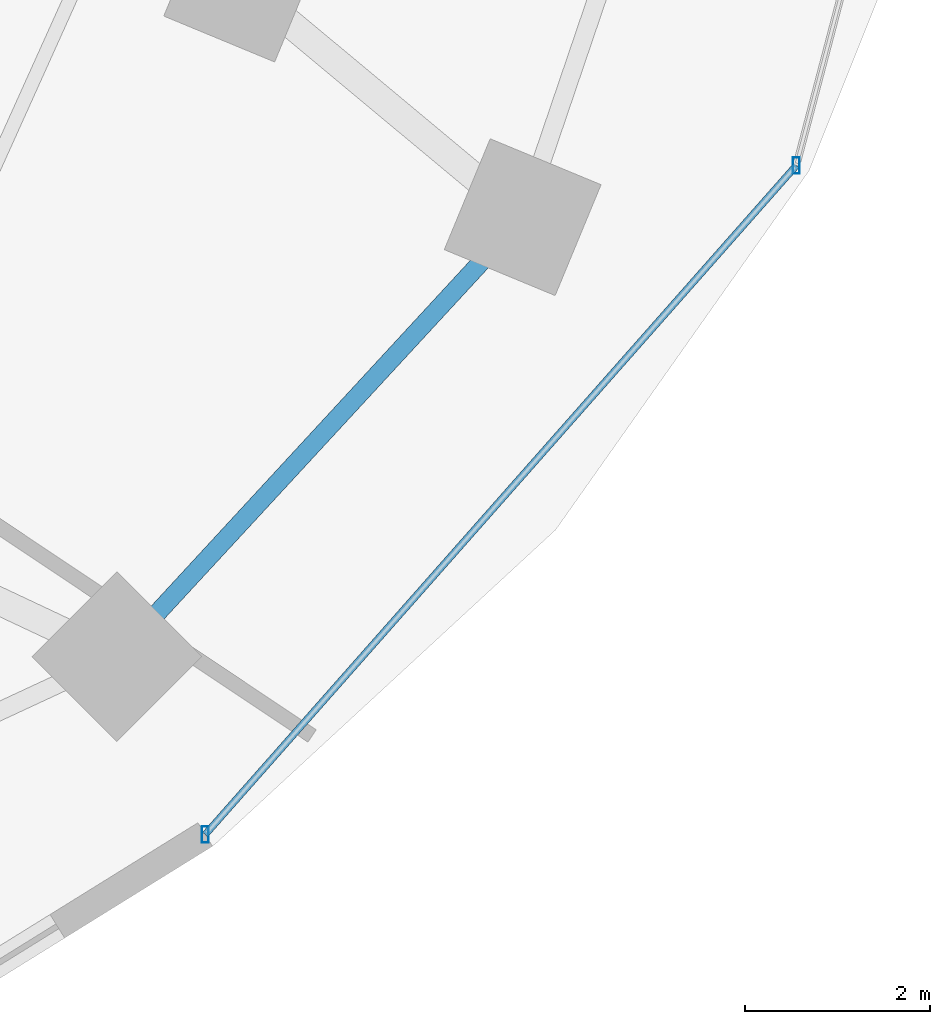
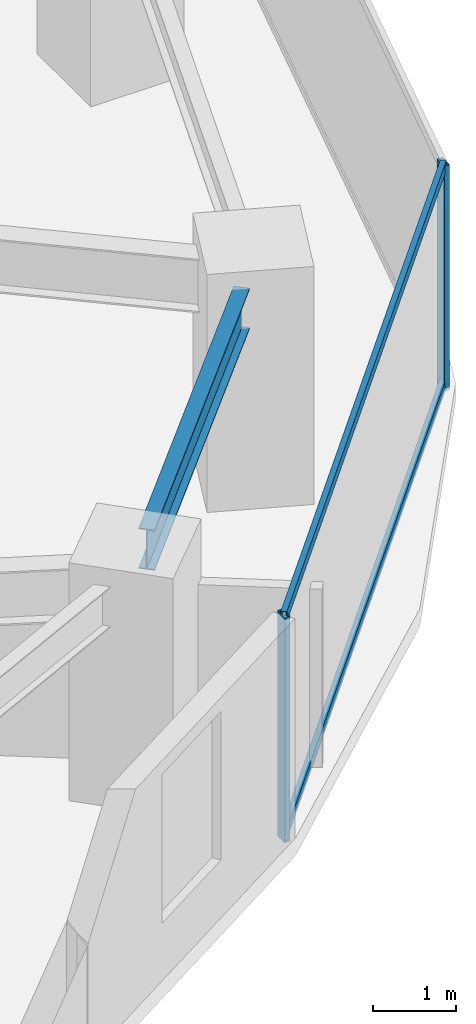
# One storey, part 13 of 33: 4 members, 1 beam, 1 element without a shape of its own.
"""IFC4 building model written with IfcOpenShell, lengths in metres."""

import ifcopenshell
import ifcopenshell.guid

model = None  # the IFC model being written
_history = None  # IfcOwnerHistory: only IFC2X3 demands one
_inside = {}  # id of a spatial element -> (the spatial element, [elements in it])
_under = {}  # id of a project, library or spatial element -> (it, [spatial elements below it])
_declared = {}  # id of a project -> (the project, [libraries it declares])
_typed = {}  # id of a type object -> (the type object, [elements of that type])
_made_of = {}  # id of a material, layer set ... -> (it, [elements and type objects made of it])


def new_model(schema):
    """Start an empty IFC model of exactly this schema.

    Asked for "IFC4X3", IfcOpenShell would pick the latest addendum, in which some entities
    have other attributes; the version numbers below select the first issue.
    IFC2X3 requires an IfcOwnerHistory on every rooted entity: one is made here for all.
    """
    global model, _history
    if schema == "IFC4X3":
        model = ifcopenshell.file(schema_version=(4, 3, 0, 0))
    else:
        model = ifcopenshell.file(schema=schema)
    _inside.clear()
    _under.clear()
    _declared.clear()
    _typed.clear()
    _made_of.clear()
    _history = None
    if model.schema == "IFC2X3":
        org = make("IfcOrganization", Name="unknown")
        user = make(
            "IfcPersonAndOrganization",
            ThePerson=make("IfcPerson", FamilyName="unknown"),
            TheOrganization=org,
        )
        app = make(
            "IfcApplication",
            ApplicationDeveloper=org,
            Version="unknown",
            ApplicationFullName="unknown",
            ApplicationIdentifier="unknown",
        )
        _history = make(
            "IfcOwnerHistory",
            OwningUser=user,
            OwningApplication=app,
            ChangeAction="ADDED",
            CreationDate=0,
        )
    return model


def make(cls, **values):
    """One entity of the class cls with the attributes given. An attribute that is None is left unset."""
    return model.create_entity(
        cls, **{name: value for name, value in values.items() if value is not None}
    )


def rooted(cls, **values):
    """An entity with a GlobalId (a new one), such as an element, a storey or a relation."""
    return make(cls, GlobalId=ifcopenshell.guid.new(), OwnerHistory=_history, **values)


def si_unit(unit_type, name, prefix=None):
    """IfcSIUnit, for example si_unit("LENGTHUNIT", "METRE", prefix="MILLI")."""
    return make("IfcSIUnit", UnitType=unit_type, Prefix=prefix, Name=name)


def assignment(units):
    """IfcUnitAssignment: the units of a project."""
    return None if units is None else make("IfcUnitAssignment", Units=units)


def point(xyz):
    """IfcCartesianPoint."""
    return None if xyz is None else make("IfcCartesianPoint", Coordinates=xyz)


def direction(xyz):
    """IfcDirection."""
    return None if xyz is None else make("IfcDirection", DirectionRatios=xyz)


def frame(location, z_axis=None, x_axis=None):
    """IfcAxis2Placement3D, a coordinate frame: its origin and axes. An axis left out is left unset."""
    return make(
        "IfcAxis2Placement3D",
        Location=point(location),
        Axis=direction(z_axis),
        RefDirection=direction(x_axis),
    )


def frame_2d(location, x_axis=None):
    """IfcAxis2Placement2D, a coordinate frame in the plane: its origin and x axis."""
    return make(
        "IfcAxis2Placement2D", Location=point(location), RefDirection=direction(x_axis)
    )


def origin():
    """The frame at (0, 0, 0) with its axes left unset."""
    return frame((0.0, 0.0, 0.0))


def origin_2d():
    """The frame at (0, 0) in the plane with its x axis left unset."""
    return frame_2d((0.0, 0.0))


def place(relative_to, where):
    """IfcLocalPlacement: puts the frame where relative to a parent placement (None: the world)."""
    return make(
        "IfcLocalPlacement", PlacementRelTo=relative_to, RelativePlacement=where
    )


def context(
    kind, dimensions, precision=None, world=None, true_north=None, identifier=None
):
    """IfcGeometricRepresentationContext, for example the 3D "Model" context."""
    return make(
        "IfcGeometricRepresentationContext",
        ContextIdentifier=identifier,
        ContextType=kind,
        CoordinateSpaceDimension=dimensions,
        Precision=precision,
        WorldCoordinateSystem=world,
        TrueNorth=true_north,
    )


def subcontext(parent, identifier, kind, view, scale=None):
    """IfcGeometricRepresentationSubContext, for example "Body" below "Model"."""
    return make(
        "IfcGeometricRepresentationSubContext",
        ContextIdentifier=identifier,
        ContextType=kind,
        ParentContext=parent,
        TargetScale=scale,
        TargetView=view,
    )


def project(units=None, contexts=None):
    """IfcProject with its units and contexts."""
    return rooted(
        "IfcProject",
        Name="project",
        RepresentationContexts=contexts,
        UnitsInContext=assignment(units),
    )


def spatial(cls, under=None, at=None, **own):
    """A site, building, storey or space (cls), placed at a placement, below another one or the project."""
    s = rooted(cls, ObjectPlacement=at, **own)
    if under is not None:
        _under.setdefault(under.id(), (under, []))[1].append(s)
    return s


def profile(cls, at=None, kind="AREA", **sizes):
    """A parametric profile (cls). Its sizes go by their IFC names, for example OverallWidth=200.0."""
    return make(cls, ProfileType=kind, Position=at, **sizes)


def hollow_rectangle(**sizes):
    """IfcRectangleHollowProfileDef."""
    return profile("IfcRectangleHollowProfileDef", **sizes)


def i_section(**sizes):
    """IfcIShapeProfileDef."""
    return profile("IfcIShapeProfileDef", **sizes)


def extrude(swept, where, along, depth):
    """IfcExtrudedAreaSolid: the profile swept, set in the frame where, extruded along a direction by depth."""
    return make(
        "IfcExtrudedAreaSolid",
        SweptArea=swept,
        Position=where,
        ExtrudedDirection=direction(along),
        Depth=depth,
    )


def shape(context_of_items, identifier, shape_type, items):
    """IfcShapeRepresentation: the items that make up one representation, for example the "Body"."""
    return make(
        "IfcShapeRepresentation",
        ContextOfItems=context_of_items,
        RepresentationIdentifier=identifier,
        RepresentationType=shape_type,
        Items=items,
    )


def material(Name=None, Category=None):
    """IfcMaterial."""
    return make("IfcMaterial", Name=Name, Category=Category)


def material_profile(
    of_material, cross_section, Name=None, Category=None, Priority=None
):
    """IfcMaterialProfile: a cross section and its material."""
    return make(
        "IfcMaterialProfile",
        Name=Name,
        Material=of_material,
        Profile=cross_section,
        Priority=Priority,
        Category=Category,
    )


def profile_set(profiles, Name=None, composite=None):
    """IfcMaterialProfileSet."""
    return make(
        "IfcMaterialProfileSet",
        Name=Name,
        MaterialProfiles=profiles,
        CompositeProfile=composite,
    )


def made_of(thing, what):
    """Note that an element or type object is made of a material, layer set ...; save() writes the relation."""
    if what is not None:
        _made_of.setdefault(what.id(), (what, []))[1].append(thing)
    return thing


def type_object(cls, material=None, **own):
    """A type object (cls), such as IfcWallType, which elements share."""
    return made_of(rooted(cls, **own), material)


def element(
    cls,
    number,
    at=None,
    inside=None,
    cuts=None,
    type_object=None,
    material=None,
    context=None,
    identifier="Body",
    shape_type=None,
    held_by="IfcProductDefinitionShape",
    body=None,
    shapes=None,
    **own,
):
    """One element of the class cls, such as IfcWall. Its Tag is "e" and its number.

    at: its placement. inside: the storey or other place that contains it. cuts: it is an
    opening in that element (IfcRelVoidsElement). A single representation is given by context,
    identifier, shape_type and body (its items); several are given by shapes. held_by: the class
    of the entity that holds the representations. save() writes the other relations.
    """
    e = rooted(cls, Tag="e%d" % number, ObjectPlacement=at, **own)
    if body is not None:
        shapes = [shape(context, identifier, shape_type, body)]
    if shapes is not None:
        e.Representation = make(held_by, Representations=shapes)
    if inside is not None:
        _inside.setdefault(inside.id(), (inside, []))[1].append(e)
    if cuts is not None:
        rooted(
            "IfcRelVoidsElement", RelatingBuildingElement=cuts, RelatedOpeningElement=e
        )
    if type_object is not None:
        _typed.setdefault(type_object.id(), (type_object, []))[1].append(e)
    return made_of(e, material)


def aggregate(whole, parts):
    """IfcRelAggregates: a whole, such as a stair, and the parts it consists of."""
    return rooted("IfcRelAggregates", RelatingObject=whole, RelatedObjects=parts)


def save(model, path):
    """Write the relations noted so far, then the file.

    IfcRelAggregates (storeys below a building ...), IfcRelContainedInSpatialStructure (elements
    in a storey), IfcRelDefinesByType, IfcRelAssociatesMaterial and IfcRelDeclares: one each for
    every whole, place, type object, material and project.
    """
    for whole, parts in _under.values():
        aggregate(whole, parts)
    for where, things in _inside.values():
        rooted(
            "IfcRelContainedInSpatialStructure",
            RelatedElements=things,
            RelatingStructure=where,
        )
    for kind, things in _typed.values():
        rooted("IfcRelDefinesByType", RelatedObjects=things, RelatingType=kind)
    for what, things in _made_of.values():
        rooted("IfcRelAssociatesMaterial", RelatedObjects=things, RelatingMaterial=what)
    for by, libraries in _declared.values():
        rooted("IfcRelDeclares", RelatingContext=by, RelatedDefinitions=libraries)
    model.write(path)


model = new_model("IFC4")

# Units and contexts
model_context = context("Model", 3, precision=1e-05, world=origin(), true_north=direction((0.0, 1.0)))
body_context = subcontext(model_context, "Body", "Model", "MODEL_VIEW")
ifc_project = project(units=[si_unit("LENGTHUNIT", "METRE"), si_unit("AREAUNIT", "SQUARE_METRE"), si_unit("VOLUMEUNIT", "CUBIC_METRE"), si_unit("PLANEANGLEUNIT", "RADIAN"), si_unit("MASSUNIT", "GRAM", prefix="KILO")], contexts=[model_context])

# Site, building, storey
site_placement = place(None, origin())
site = spatial("IfcSite", under=ifc_project, at=site_placement, CompositionType="ELEMENT")
building_placement = place(site_placement, origin())
building = spatial("IfcBuilding", under=site, at=building_placement, Name="Vorneva Point Tower", CompositionType="ELEMENT")
storey_placement = place(building_placement, frame((0.0, 0.0, 38.0)))
storey = spatial("IfcBuildingStorey", under=building, at=storey_placement, Name="L09", CompositionType="ELEMENT", Elevation=38.0)

# Beam
ifc_material_1 = material(Name="Steel S355", Category="steel")
ifc_material_profile_1 = material_profile(ifc_material_1, i_section(OverallWidth=0.198974609375, OverallDepth=0.595947265625, WebThickness=0.010009765625, FlangeThickness=0.014892578125, at=origin_2d()), Name="60B1")
ifc_profile_set_1 = profile_set([ifc_material_profile_1], Name="Steel S355")
beam_type = type_object("IfcBeamType", Name="BM-SPN-60B1", PredefinedType="SPANDREL", material=ifc_profile_set_1)
beam_placement = place(storey_placement, frame((58.369384765625, 12.5908203125, 2.94189453125), z_axis=(0.678317071649, 0.734769317752, 0.0), x_axis=(-0.734769317752, 0.678317071649, 0.0)))
element("IfcBeam", 1, at=beam_placement, inside=storey, type_object=beam_type, Name="L09 Perimeter Spandrel Ring Beam 15", PredefinedType="SPANDREL", context=body_context, shape_type="SweptSolid", body=[
    extrude(i_section(OverallWidth=0.198974609375, OverallDepth=0.595947265625, WebThickness=0.010009765625, FlangeThickness=0.014892578125, at=origin_2d()), origin(), (0.0, 0.0, 1.0), 5.211181640625),
])

# Curtain wall, members
ifc_material_2 = material(Name="Pale anodised aluminium", Category="aluminium")
curtain_wall_type = type_object("IfcCurtainWallType", Name="CW-HTL-SYS", PredefinedType="NOTDEFINED", material=ifc_material_2)
curtain_wall_placement = place(storey_placement, origin())
curtain_wall = element("IfcCurtainWall", 2, at=curtain_wall_placement, inside=storey, type_object=curtain_wall_type, Name="L09 Unitised Curtain Wall CW-L09-R01", PredefinedType="NOTDEFINED")
ifc_material_profile_2 = material_profile(ifc_material_2, hollow_rectangle(XDim=0.074951171875, YDim=0.179931640625, WallThickness=0.00390625, at=origin_2d()), Name="AL-MUL 180x75x4")
ifc_profile_set_2 = profile_set([ifc_material_profile_2], Name="Pale anodised aluminium")
member_type_1 = type_object("IfcMemberType", Name="CW-MUL-180", PredefinedType="MULLION", material=ifc_profile_set_2)
member_1_placement = place(storey_placement, frame((58.89501953125, 10.1962890625, -0.0400390625), z_axis=(0.0, 0.0, 1.0), x_axis=(1.0, 0.0, 0.0)))
member_1 = element("IfcMember", 3, at=member_1_placement, type_object=member_type_1, Name="CW-L09-R01 Mullion 01", PredefinedType="MULLION", context=body_context, shape_type="SweptSolid", body=[
    extrude(hollow_rectangle(XDim=0.074951171875, YDim=0.179931640625, WallThickness=0.00390625, at=origin_2d()), origin(), (0.0, 0.0, 1.0), 3.31005859375),
])
member_2_placement = place(storey_placement, frame((65.300537109375, 17.447021484375, -0.0400390625), z_axis=(0.0, 0.0, 1.0), x_axis=(1.0, 0.0, 0.0)))
member_2 = element("IfcMember", 4, at=member_2_placement, type_object=member_type_1, Name="CW-L09-R01 Mullion 02", PredefinedType="MULLION", context=body_context, shape_type="SweptSolid", body=[
    extrude(hollow_rectangle(XDim=0.074951171875, YDim=0.179931640625, WallThickness=0.00390625, at=origin_2d()), origin(), (0.0, 0.0, 1.0), 3.31005859375),
])
ifc_material_profile_3 = material_profile(ifc_material_2, hollow_rectangle(XDim=0.074951171875, YDim=0.14990234375, WallThickness=0.00390625, at=origin_2d()), Name="AL-TRN 150x75x4")
ifc_profile_set_3 = profile_set([ifc_material_profile_3], Name="Pale anodised aluminium")
member_type_2 = type_object("IfcMemberType", Name="CW-TRN-150", PredefinedType="USERDEFINED", material=ifc_profile_set_3)
member_3_placement = place(storey_placement, frame((58.89501953125, 10.1962890625, 0.02001953125), z_axis=(0.662075539029, 0.749437109182, 0.0), x_axis=(-0.749437109182, 0.662075539029, 0.0)))
member_3 = element("IfcMember", 5, at=member_3_placement, type_object=member_type_2, Name="CW-L09-R01 Transom 01.1", ObjectType="TRANSOM", PredefinedType="USERDEFINED", context=body_context, shape_type="SweptSolid", body=[
    extrude(hollow_rectangle(XDim=0.074951171875, YDim=0.14990234375, WallThickness=0.00390625, at=origin_2d()), origin(), (0.0, 0.0, 1.0), 9.6748046875),
])
member_4_placement = place(storey_placement, frame((58.89501953125, 10.1962890625, 3.219970703125), z_axis=(0.662075539029, 0.749437109182, 0.0), x_axis=(-0.749437109182, 0.662075539029, 0.0)))
member_4 = element("IfcMember", 6, at=member_4_placement, type_object=member_type_2, Name="CW-L09-R01 Transom 01.2", ObjectType="TRANSOM", PredefinedType="USERDEFINED", context=body_context, shape_type="SweptSolid", body=[
    extrude(hollow_rectangle(XDim=0.074951171875, YDim=0.14990234375, WallThickness=0.00390625, at=origin_2d()), origin(), (0.0, 0.0, 1.0), 9.6748046875),
])
aggregate(curtain_wall, [member_1, member_2, member_3, member_4])

save(model, "model.ifc")
